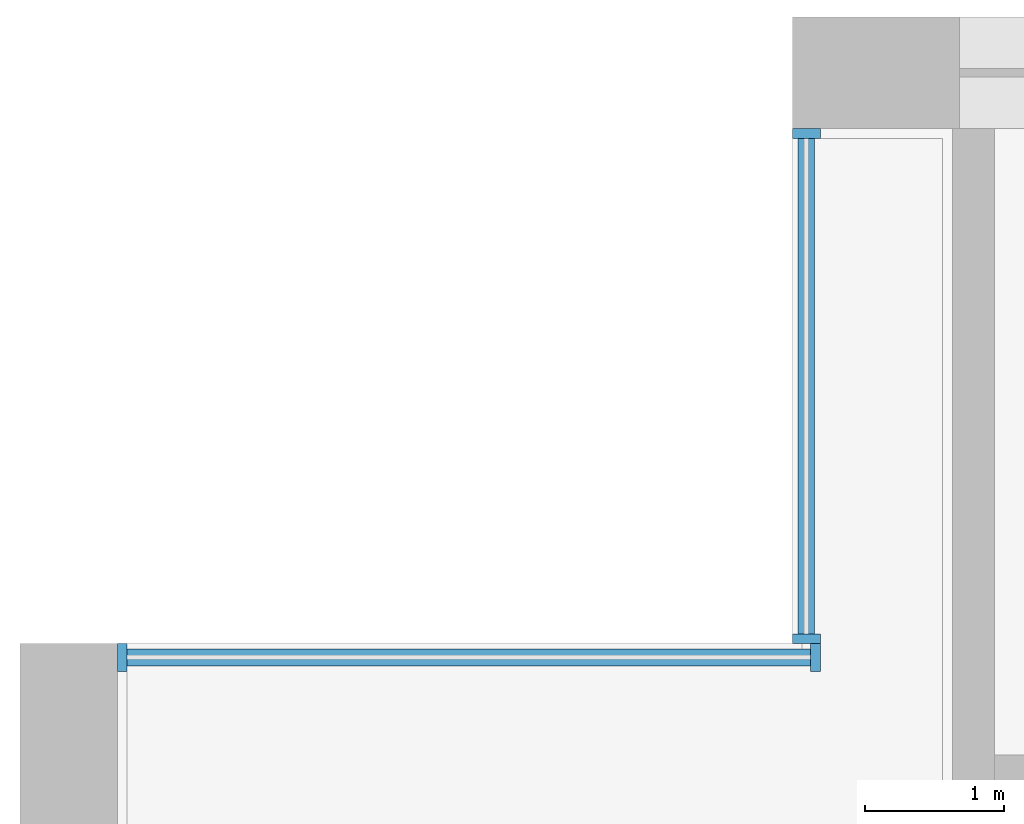
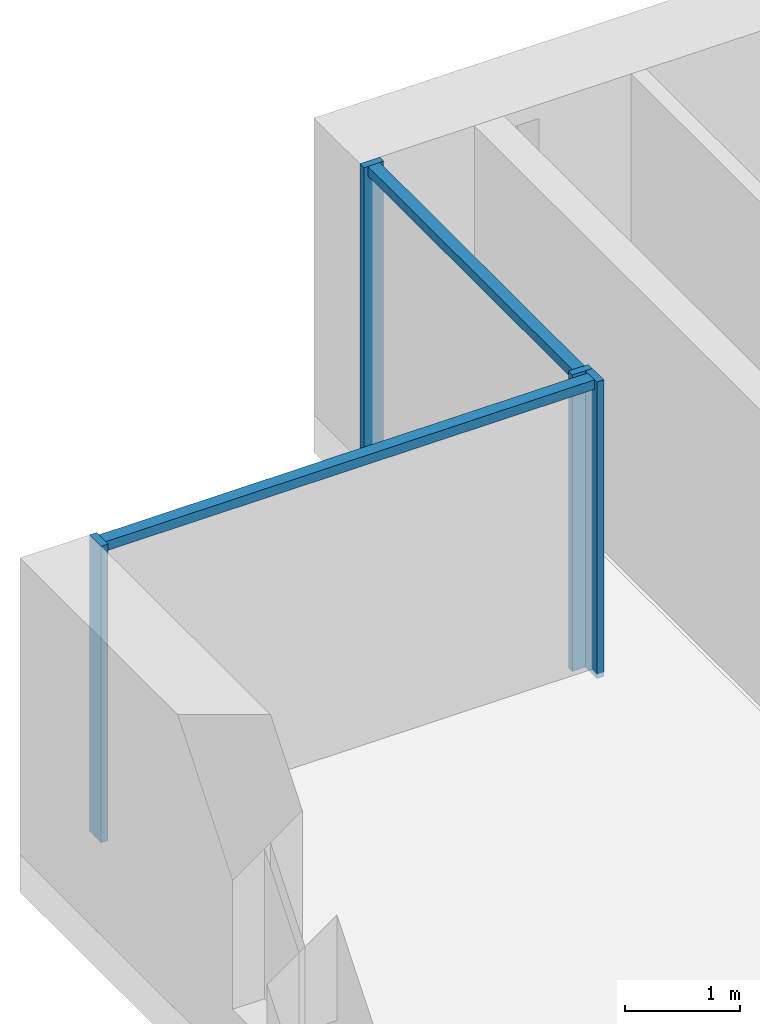
# One storey, part 4 of 15: 6 members, 2 elements without a shape of their own.
"""IFC4 building model written with IfcOpenShell, lengths in metres."""

from ifc_helpers import new_model, si_unit, direction, frame, origin, origin_2d, place, context, subcontext, project, spatial, rectangle, extrude, material, material_profile, profile_set, type_object, element, aggregate, save


model = new_model("IFC4")

# Units and contexts
model_context = context("Model", 3, precision=1e-05, world=origin(), true_north=direction((0.0, 1.0)))
body_context = subcontext(model_context, "Body", "Model", "MODEL_VIEW")
ifc_project = project(units=[si_unit("LENGTHUNIT", "METRE"), si_unit("AREAUNIT", "SQUARE_METRE"), si_unit("VOLUMEUNIT", "CUBIC_METRE"), si_unit("PLANEANGLEUNIT", "RADIAN"), si_unit("MASSUNIT", "GRAM", prefix="KILO")], contexts=[model_context])

# Site, building, storey
site_placement = place(None, origin())
site = spatial("IfcSite", under=ifc_project, at=site_placement, CompositionType="ELEMENT")
building_placement = place(site_placement, origin())
building = spatial("IfcBuilding", under=site, at=building_placement, Name="Calvaro Tower", CompositionType="ELEMENT")
storey_placement = place(building_placement, frame((0.0, 0.0, 155.0)))
storey = spatial("IfcBuildingStorey", under=building, at=storey_placement, Name="L39", CompositionType="ELEMENT", Elevation=155.0)

# Curtain wall, members
ifc_material_1 = material(Name="Anodised aluminium", Category="aluminium")
curtain_wall_type = type_object("IfcCurtainWallType", Name="Office curtain wall, middle zone", PredefinedType="NOTDEFINED", material=ifc_material_1)
curtain_wall_1_placement = place(storey_placement, origin())
curtain_wall_1 = element("IfcCurtainWall", 1, at=curtain_wall_1_placement, inside=storey, type_object=curtain_wall_type, Name="CW2 corner curtain wall", PredefinedType="NOTDEFINED")
ifc_material_2 = material(Name="Anodised aluminium", Category="aluminium")
ifc_material_profile_1 = material_profile(ifc_material_2, rectangle(XDim=0.199951171875, YDim=0.070068359375, at=origin_2d()), Name="Mullion S2 70 x 200")
ifc_profile_set_1 = profile_set([ifc_material_profile_1], Name="Anodised aluminium")
member_type_1 = type_object("IfcMemberType", Name="Mullion S2 70 x 200", PredefinedType="MULLION", material=ifc_profile_set_1)
member_1_placement = place(storey_placement, frame((5.64990234375, 41.534912109375, 0.0), z_axis=(0.0, 0.0, 1.0), x_axis=(-1.0, 0.0, 0.0)))
member_1 = element("IfcMember", 2, at=member_1_placement, type_object=member_type_1, Name="CW2 mullion 1", PredefinedType="MULLION", context=body_context, shape_type="SweptSolid", body=[
    extrude(rectangle(XDim=0.199951171875, YDim=0.070068359375, at=origin_2d()), origin(), (0.0, 0.0, 1.0), 3.14990234375),
])
member_2_placement = place(storey_placement, frame((5.64990234375, 45.1650390625, 0.0), z_axis=(0.0, 0.0, 1.0), x_axis=(-1.0, 0.0, 0.0)))
member_2 = element("IfcMember", 3, at=member_2_placement, type_object=member_type_1, Name="CW2 mullion 2", PredefinedType="MULLION", context=body_context, shape_type="SweptSolid", body=[
    extrude(rectangle(XDim=0.199951171875, YDim=0.070068359375, at=origin_2d()), origin(), (0.0, 0.0, 1.0), 3.14990234375),
])

curtain_wall_2_placement = place(storey_placement, origin())
curtain_wall_2 = element("IfcCurtainWall", 4, at=curtain_wall_2_placement, inside=storey, type_object=curtain_wall_type, Name="CW2 corner curtain wall", PredefinedType="NOTDEFINED")
member_3_placement = place(storey_placement, frame((0.735107421875, 41.39990234375, 0.0), z_axis=(0.0, 0.0, 1.0), x_axis=(0.0, 1.0, 0.0)))
member_3 = element("IfcMember", 5, at=member_3_placement, type_object=member_type_1, Name="CW2 mullion 1", PredefinedType="MULLION", context=body_context, shape_type="SweptSolid", body=[
    extrude(rectangle(XDim=0.199951171875, YDim=0.070068359375, at=origin_2d()), origin(), (0.0, 0.0, 1.0), 3.14990234375),
])
member_4_placement = place(storey_placement, frame((5.715087890625, 41.39990234375, 0.0), z_axis=(0.0, 0.0, 1.0), x_axis=(0.0, 1.0, 0.0)))
member_4 = element("IfcMember", 6, at=member_4_placement, type_object=member_type_1, Name="CW2 mullion 2", PredefinedType="MULLION", context=body_context, shape_type="SweptSolid", body=[
    extrude(rectangle(XDim=0.199951171875, YDim=0.070068359375, at=origin_2d()), origin(), (0.0, 0.0, 1.0), 3.14990234375),
])

# Member
ifc_material_3 = material(Name="Anodised aluminium", Category="aluminium")
ifc_material_profile_2 = material_profile(ifc_material_3, rectangle(XDim=0.1201171875, YDim=0.10009765625, at=origin_2d()), Name="Transom S2 100 x 120")
ifc_profile_set_2 = profile_set([ifc_material_profile_2], Name="Anodised aluminium")
member_type_2 = type_object("IfcMemberType", Name="Transom S2 100 x 120", PredefinedType="USERDEFINED", material=ifc_profile_set_2)
member_5_placement = place(storey_placement, frame((5.64990234375, 41.570068359375, 3.10009765625), z_axis=(0.0, 1.0, 0.0), x_axis=(-1.0, 0.0, 0.0)))
member_5 = element("IfcMember", 7, at=member_5_placement, type_object=member_type_2, Name="CW2 transom 1.1", ObjectType="TRANSOM", PredefinedType="USERDEFINED", context=body_context, shape_type="SweptSolid", body=[
    extrude(rectangle(XDim=0.1201171875, YDim=0.10009765625, at=origin_2d()), origin(), (0.0, 0.0, 1.0), 3.559814453125),
])

aggregate(curtain_wall_1, [member_1, member_2, member_5])

member_6_placement = place(storey_placement, frame((0.77001953125, 41.39990234375, 3.10009765625), z_axis=(1.0, 0.0, 0.0), x_axis=(0.0, 1.0, 0.0)))
member_6 = element("IfcMember", 8, at=member_6_placement, type_object=member_type_2, Name="CW2 transom 1.1", ObjectType="TRANSOM", PredefinedType="USERDEFINED", context=body_context, shape_type="SweptSolid", body=[
    extrude(rectangle(XDim=0.1201171875, YDim=0.10009765625, at=origin_2d()), origin(), (0.0, 0.0, 1.0), 4.909912109375),
])

aggregate(curtain_wall_2, [member_3, member_4, member_6])

save(model, "model.ifc")
